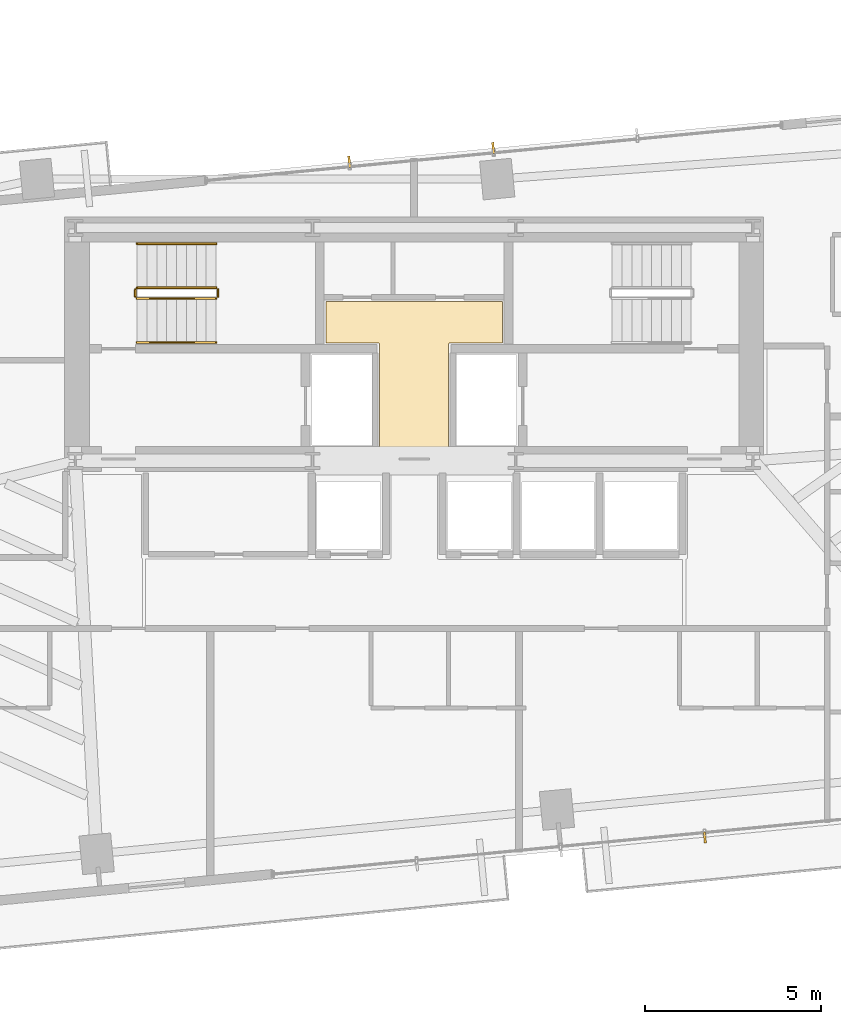
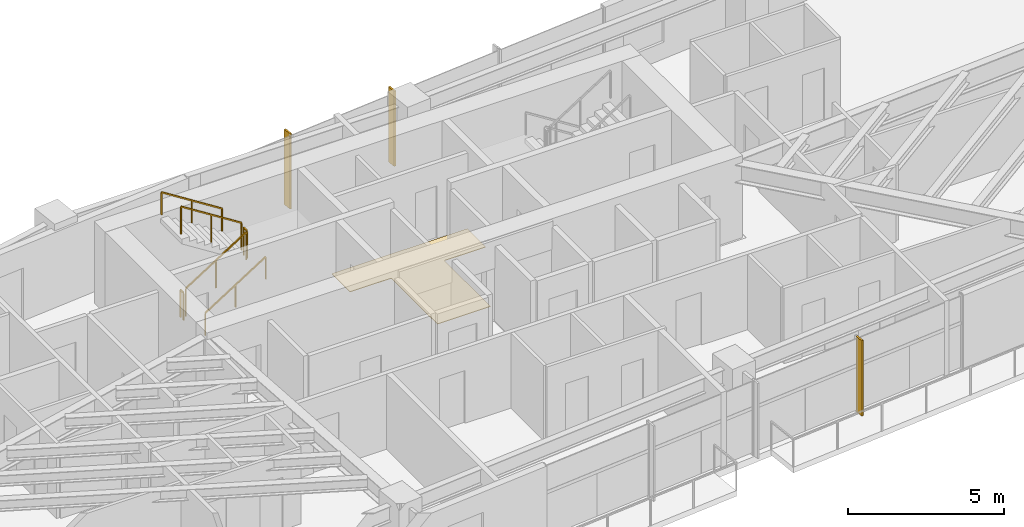
# One storey, part 26 of 27: 6 railings, 3 shading devices, 1 covering.
"""IFC4 building model written with IfcOpenShell, lengths in metres."""

from ifc_helpers import new_model, si_unit, direction, frame, origin, origin_2d, place, context, subcontext, project, spatial, polyline, rectangle, outline, extrude, source, transform, mapped, material, layer, layer_set, type_object, type_shapes, element, save


model = new_model("IFC4")

# Units and contexts
model_context = context("Model", 3, precision=1e-05, world=origin(), true_north=direction((0.0, 1.0)))
body_context = subcontext(model_context, "Body", "Model", "MODEL_VIEW")
ifc_project = project(units=[si_unit("LENGTHUNIT", "METRE"), si_unit("AREAUNIT", "SQUARE_METRE"), si_unit("VOLUMEUNIT", "CUBIC_METRE"), si_unit("PLANEANGLEUNIT", "RADIAN"), si_unit("MASSUNIT", "GRAM", prefix="KILO")], contexts=[model_context])

# Site, building, storey
site_placement = place(None, origin())
site = spatial("IfcSite", under=ifc_project, at=site_placement, CompositionType="ELEMENT")
building_placement = place(site_placement, origin())
building = spatial("IfcBuilding", under=site, at=building_placement, Name="Astriad Promenade Condominiums", CompositionType="ELEMENT")
storey_placement = place(building_placement, frame((0.0, 0.0, 113.0)))
storey = spatial("IfcBuildingStorey", under=building, at=storey_placement, Name="L32", CompositionType="ELEMENT", Elevation=113.0)

# Covering
ifc_material_1 = material(Name="Polished Lakefront Terrazzo Flooring")
ifc_layer = layer(ifc_material_1, 0.02001953125)
ifc_layer_set = layer_set([ifc_layer], Name="Polished Lakefront Terrazzo Flooring")
covering_type = type_object("IfcCoveringType", Name="COV-FLOR-TERRAZZO-20", PredefinedType="FLOORING", material=ifc_layer_set)
covering_placement = place(storey_placement, origin())
element("IfcCovering", 1, at=covering_placement, inside=storey, type_object=covering_type, Name="FLR-L32-CSL", PredefinedType="FLOORING", context=body_context, shape_type="SweptSolid", body=[
    extrude(outline(polyline([(36.97998046875, 20.699951171875), (36.97998046875, 17.7900390625), (35.02001953125, 17.7900390625), (35.02001953125, 20.699951171875), (35.019775390625, 20.703857421875), (35.019287109375, 20.707763671875), (35.018310546875, 20.711669921875), (35.01708984375, 20.71533203125), (35.015380859375, 20.718994140625), (35.01318359375, 20.72216796875), (35.010986328125, 20.725341796875), (35.00830078125, 20.728271484375), (35.00537109375, 20.73095703125), (35.002197265625, 20.7333984375), (34.998779296875, 20.7353515625), (34.995361328125, 20.737060546875), (34.99169921875, 20.73828125), (34.98779296875, 20.7392578125), (34.98388671875, 20.73974609375), (34.97998046875, 20.739990234375), (33.5, 20.739990234375), (33.5, 21.909912109375), (38.5, 21.909912109375), (38.5, 20.739990234375), (37.02001953125, 20.739990234375), (37.01611328125, 20.73974609375), (37.01220703125, 20.7392578125), (37.00830078125, 20.73828125), (37.004638671875, 20.737060546875), (37.001220703125, 20.7353515625), (36.997802734375, 20.7333984375), (36.99462890625, 20.73095703125), (36.99169921875, 20.728271484375), (36.989013671875, 20.725341796875), (36.98681640625, 20.72216796875), (36.984619140625, 20.718994140625), (36.98291015625, 20.71533203125), (36.981689453125, 20.711669921875), (36.980712890625, 20.707763671875), (36.980224609375, 20.703857421875), (36.97998046875, 20.699951171875)])), origin(), (0.0, 0.0, 1.0), 0.02001953125),
])

# Shading devices
ifc_material_2 = material(Name="Anodised aluminium 6063-T6 Black Fin", Category="aluminium")
shading_device_type = type_object("IfcShadingDeviceType", Name="FIN-BLACK-320", PredefinedType="USERDEFINED", material=ifc_material_2)
shared_shape_1 = source(origin(), body_context, "Body", "SweptSolid", [
    extrude(rectangle(XDim=0.06494140625, YDim=0.320068359375, at=origin_2d()), origin(), (0.0, 0.0, 1.0), 2.93994140625),
])
type_shapes(shading_device_type, [shared_shape_1])
for number, where, z_axis, x_axis, name in (
    (2, (34.164306640625, 25.87158203125, 0.0), (0.0, 0.0, 1.0), (0.995396198367, 0.09584575252, 0.0), "CW-L32-N-FIN-01"),
    (3, (38.240478515625, 26.263916015625, 0.0), (0.0, 0.0, 1.0), (0.995396198367, 0.09584575252, 0.0), "CW-L32-N-FIN-02"),
    (4, (44.235595703125, 6.728515625, 0.0), (0.0, 0.0, 1.0), (-0.995396198367, -0.09584575252, 0.0), "CW-L32-S-FIN-01"),
):
    element("IfcShadingDevice", number, at=place(storey_placement, frame(where, z_axis=z_axis, x_axis=x_axis)), inside=storey, type_object=shading_device_type, Name=name, ObjectType="FIN", PredefinedType="USERDEFINED", context=body_context, shape_type="MappedRepresentation", body=[
        mapped(shared_shape_1, transform((0.0, 0.0, 0.0), scale=1.0)),
    ])

# Railings
ifc_material_3 = material(Name="Painted Galvanised Steel Guardrail", Category="steel")
railing_type_1 = type_object("IfcRailingType", Name="GRD-STAIR-1100", PredefinedType="GUARDRAIL", material=ifc_material_3)
shared_shape_2 = source(origin(), body_context, "Body", "SweptSolid", [
    extrude(rectangle(XDim=0.048095703125, YDim=0.048095703125, at=origin_2d()), frame((0.0, 0.0, 1.076171875), z_axis=(0.0, 1.0, 0.0), x_axis=(-1.0, 0.0, 0.0)), (0.0, 0.0, 1.0), 0.199951171875),
    extrude(rectangle(XDim=0.0419921875, YDim=0.0419921875, at=origin_2d()), origin(), (0.0, 0.0, 1.0), 1.052001953125),
    extrude(rectangle(XDim=0.0419921875, YDim=0.0419921875, at=origin_2d()), frame((0.0, 0.199951171875, 0.0)), (0.0, 0.0, 1.0), 1.052001953125),
])
for number, where, name in (
    (5, (30.43994140625, 22.050048828125, 1.60009765625), "L32 ST-1 stair guard 2"),
    (6, (28.10009765625, 22.050048828125, 0.0), "L32 ST-1 stair guard 4"),
):
    element("IfcRailing", number, at=place(storey_placement, frame(where)), inside=storey, type_object=railing_type_1, Name=name, PredefinedType="GUARDRAIL", context=body_context, shape_type="MappedRepresentation", body=[
        mapped(shared_shape_2, transform((0.0, 0.0, 0.0), scale=1.0)),
    ])
shared_shape_3 = source(origin(), body_context, "Body", "SweptSolid", [
    extrude(rectangle(XDim=0.048095703125, YDim=0.048095703125, at=origin_2d()), frame((0.0, 0.0, 1.076171875), z_axis=(0.84418770128, 0.0, 0.536047689118), x_axis=(0.0, 1.0, 0.0)), (0.0, 0.0, 1.0), 2.6533203125),
    extrude(rectangle(XDim=0.0419921875, YDim=0.0419921875, at=origin_2d()), origin(), (0.0, 0.0, 1.0), 1.052001953125),
    extrude(rectangle(XDim=0.0419921875, YDim=0.0419921875, at=origin_2d()), frame((1.1201171875, 0.0, 0.711181640625)), (0.0, 0.0, 1.0), 1.052001953125),
    extrude(rectangle(XDim=0.0419921875, YDim=0.0419921875, at=origin_2d()), frame((2.239990234375, 0.0, 1.42236328125)), (0.0, 0.0, 1.0), 1.052001953125),
])
railing_1_placement = place(storey_placement, frame((28.14990234375, 22.0, 0.177734375)))
element("IfcRailing", 7, at=railing_1_placement, inside=storey, type_object=railing_type_1, Name="L32 ST-1 stair guard 1", PredefinedType="GUARDRAIL", context=body_context, shape_type="MappedRepresentation", body=[
    mapped(shared_shape_3, transform((0.0, 0.0, 0.0), scale=1.0)),
])
shared_shape_4 = source(origin(), body_context, "Body", "SweptSolid", [
    extrude(rectangle(XDim=0.048095703125, YDim=0.048095703125, at=origin_2d()), frame((0.0, 0.0, 1.076171875), z_axis=(-0.8442293374, 0.0, 0.53598211339), x_axis=(0.0, -1.0, 0.0)), (0.0, 0.0, 1.0), 2.6533203125),
    extrude(rectangle(XDim=0.0419921875, YDim=0.0419921875, at=origin_2d()), origin(), (0.0, 0.0, 1.0), 1.052001953125),
    extrude(rectangle(XDim=0.0419921875, YDim=0.0419921875, at=origin_2d()), frame((-1.1201171875, 0.0, 0.7109375)), (0.0, 0.0, 1.0), 1.052001953125),
    extrude(rectangle(XDim=0.0419921875, YDim=0.0419921875, at=origin_2d()), frame((-2.239990234375, 0.0, 1.422119140625)), (0.0, 0.0, 1.0), 1.052001953125),
])
type_shapes(railing_type_1, [shared_shape_2, shared_shape_3, shared_shape_4])
railing_2_placement = place(storey_placement, frame((30.389892578125, 22.300048828125, 1.77783203125)))
element("IfcRailing", 8, at=railing_2_placement, inside=storey, type_object=railing_type_1, Name="L32 ST-1 stair guard 3", PredefinedType="GUARDRAIL", context=body_context, shape_type="MappedRepresentation", body=[
    mapped(shared_shape_4, transform((0.0, 0.0, 0.0), scale=1.0)),
])
ifc_material_4 = material(Name="Brushed Stainless Steel Handrail", Category="steel")
railing_type_2 = type_object("IfcRailingType", Name="HRL-STAIR-920", PredefinedType="HANDRAIL", material=ifc_material_4)
shared_shape_5 = source(origin(), body_context, "Body", "SweptSolid", [
    extrude(rectangle(XDim=0.048095703125, YDim=0.048095703125, at=origin_2d()), frame((0.0, 0.0, 0.8759765625), z_axis=(0.84418770128, 0.0, 0.536047689118), x_axis=(0.0, 1.0, 0.0)), (0.0, 0.0, 1.0), 2.6533203125),
    extrude(rectangle(XDim=0.0419921875, YDim=0.0419921875, at=origin_2d()), origin(), (0.0, 0.0, 1.0), 0.851806640625),
    extrude(rectangle(XDim=0.0419921875, YDim=0.0419921875, at=origin_2d()), frame((1.1201171875, 0.0, 0.711181640625)), (0.0, 0.0, 1.0), 0.851806640625),
    extrude(rectangle(XDim=0.0419921875, YDim=0.0419921875, at=origin_2d()), frame((2.239990234375, 0.0, 1.42236328125)), (0.0, 0.0, 1.0), 0.851806640625),
])
railing_3_placement = place(storey_placement, frame((28.14990234375, 20.75, 0.177734375)))
element("IfcRailing", 9, at=railing_3_placement, inside=storey, type_object=railing_type_2, Name="L32 ST-1 stair handrail 1", PredefinedType="HANDRAIL", context=body_context, shape_type="MappedRepresentation", body=[
    mapped(shared_shape_5, transform((0.0, 0.0, 0.0), scale=1.0)),
])
shared_shape_6 = source(origin(), body_context, "Body", "SweptSolid", [
    extrude(rectangle(XDim=0.048095703125, YDim=0.048095703125, at=origin_2d()), frame((0.0, 0.0, 0.8759765625), z_axis=(-0.8442293374, 0.0, 0.53598211339), x_axis=(0.0, -1.0, 0.0)), (0.0, 0.0, 1.0), 2.6533203125),
    extrude(rectangle(XDim=0.0419921875, YDim=0.0419921875, at=origin_2d()), origin(), (0.0, 0.0, 1.0), 0.851806640625),
    extrude(rectangle(XDim=0.0419921875, YDim=0.0419921875, at=origin_2d()), frame((-1.1201171875, 0.0, 0.7109375)), (0.0, 0.0, 1.0), 0.851806640625),
    extrude(rectangle(XDim=0.0419921875, YDim=0.0419921875, at=origin_2d()), frame((-2.239990234375, 0.0, 1.422119140625)), (0.0, 0.0, 1.0), 0.851806640625),
])
type_shapes(railing_type_2, [shared_shape_5, shared_shape_6])
railing_4_placement = place(storey_placement, frame((30.389892578125, 23.550048828125, 1.77783203125)))
element("IfcRailing", 10, at=railing_4_placement, inside=storey, type_object=railing_type_2, Name="L32 ST-1 stair handrail 2", PredefinedType="HANDRAIL", context=body_context, shape_type="MappedRepresentation", body=[
    mapped(shared_shape_6, transform((0.0, 0.0, 0.0), scale=1.0)),
])

save(model, "model.ifc")
